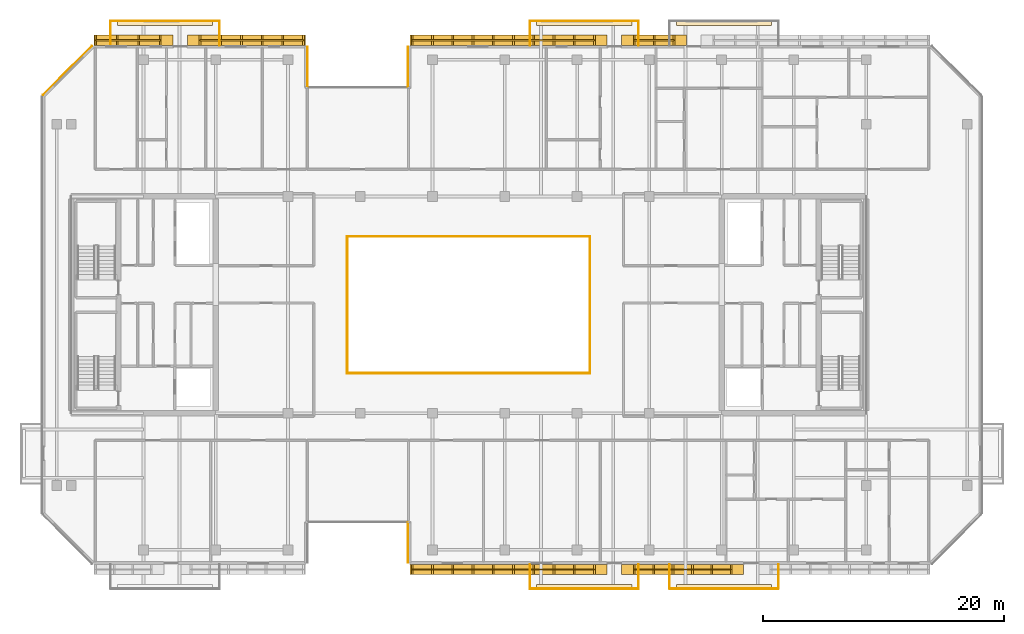
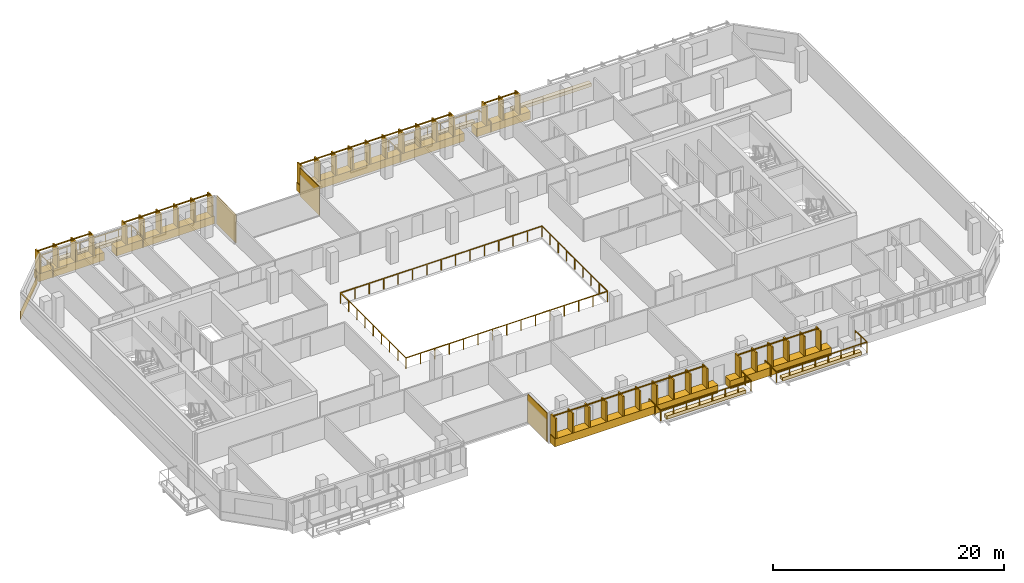
# One storey, part 19 of 22: 15 coverings, 12 railings.
"""IFC4 building model written with IfcOpenShell, lengths in metres."""

from ifc_helpers import new_model, si_unit, direction, frame, origin, origin_2d, place, context, subcontext, project, spatial, polyline, rectangle, outline, extrude, material, layer, layer_set, type_object, element, save


model = new_model("IFC4")

# Units and contexts
model_context = context("Model", 3, precision=1e-05, world=origin(), true_north=direction((0.0, 1.0)))
body_context = subcontext(model_context, "Body", "Model", "MODEL_VIEW")
ifc_project = project(units=[si_unit("LENGTHUNIT", "METRE"), si_unit("AREAUNIT", "SQUARE_METRE"), si_unit("VOLUMEUNIT", "CUBIC_METRE"), si_unit("PLANEANGLEUNIT", "RADIAN"), si_unit("MASSUNIT", "GRAM", prefix="KILO")], contexts=[model_context])

# Site, building, storey
site_placement = place(None, origin())
site = spatial("IfcSite", under=ifc_project, at=site_placement, CompositionType="ELEMENT")
building_placement = place(site_placement, origin())
building = spatial("IfcBuilding", under=site, at=building_placement, Name="Tanjung Sevakor Pilgrim Tower", CompositionType="ELEMENT")
storey_placement = place(building_placement, frame((0.0, 0.0, 195.030029296875)))
storey = spatial("IfcBuildingStorey", under=building, at=storey_placement, Name="L54", CompositionType="ELEMENT", Elevation=195.030029296875)

# Coverings
ifc_material_1 = material(Name="Reconstructed Limestone Cladding", Category="masonry")
ifc_layer_1 = layer(ifc_material_1, 0.044921875)
ifc_layer_set_1 = layer_set([ifc_layer_1], Name="COV-CLAD-LIMESTONE")
covering_type_1 = type_object("IfcCoveringType", Name="COV-CLAD-LIMESTONE", PredefinedType="CLADDING", material=ifc_layer_set_1)
covering_1_placement = place(storey_placement, frame((51.9775390625, 13.860107421875, 0.02001953125), z_axis=(0.0, 0.0, 1.0), x_axis=(0.0, -1.0, 0.0)))
element("IfcCovering", 1, at=covering_1_placement, inside=storey, type_object=covering_type_1, Name="L54 Warm Limestone Wall Cladding EW-L54-MAIN-4", PredefinedType="CLADDING", context=body_context, shape_type="SweptSolid", body=[
    extrude(rectangle(XDim=3.360107421875, YDim=0.044921875, at=origin_2d()), origin(), (0.0, 0.0, 1.0), 3.0400390625),
])
covering_2_placement = place(storey_placement, frame((60.320068359375, 11.6201171875, 0.009765625), z_axis=(0.0, 0.0, 1.0), x_axis=(1.0, 0.0, 0.0)))
element("IfcCovering", 2, at=covering_2_placement, inside=storey, type_object=covering_type_1, Name="L54 Warm Limestone Sill Spandrel EW-L54-MAIN-5-1", PredefinedType="CLADDING", context=body_context, shape_type="SweptSolid", body=[
    extrude(rectangle(XDim=16.340087890625, YDim=0.860107421875, at=origin_2d()), origin(), (0.0, 0.0, 1.0), 0.840087890625),
])
covering_3_placement = place(storey_placement, frame((74.77490234375, 11.6201171875, 0.009765625), z_axis=(0.0, 0.0, 1.0), x_axis=(1.0, 0.0, 0.0)))
element("IfcCovering", 3, at=covering_3_placement, inside=storey, type_object=covering_type_1, Name="L54 Warm Limestone Sill Spandrel EW-L54-MAIN-5-2", PredefinedType="CLADDING", context=body_context, shape_type="SweptSolid", body=[
    extrude(rectangle(XDim=10.1298828125, YDim=0.860107421875, at=origin_2d()), origin(), (0.0, 0.0, 1.0), 0.840087890625),
])
covering_4_placement = place(storey_placement, frame((72.39990234375, 55.580078125, 0.009765625), z_axis=(0.0, 0.0, 1.0), x_axis=(-1.0, 0.0, 0.0)))
element("IfcCovering", 4, at=covering_4_placement, inside=storey, type_object=covering_type_1, Name="L54 Warm Limestone Sill Spandrel EW-L54-MAIN-9-2", PredefinedType="CLADDING", context=body_context, shape_type="SweptSolid", body=[
    extrude(rectangle(XDim=5.3798828125, YDim=0.860107421875, at=origin_2d()), origin(), (0.0, 0.0, 1.0), 0.840087890625),
])
covering_5_placement = place(storey_placement, frame((60.320068359375, 55.580078125, 0.009765625), z_axis=(0.0, 0.0, 1.0), x_axis=(-1.0, 0.0, 0.0)))
element("IfcCovering", 5, at=covering_5_placement, inside=storey, type_object=covering_type_1, Name="L54 Warm Limestone Sill Spandrel EW-L54-MAIN-9-3", PredefinedType="CLADDING", context=body_context, shape_type="SweptSolid", body=[
    extrude(rectangle(XDim=16.340087890625, YDim=0.860107421875, at=origin_2d()), origin(), (0.0, 0.0, 1.0), 0.840087890625),
])
for number, where, z_axis, x_axis, name in (
    (6, (51.9775390625, 53.340087890625, 0.02001953125), (0.0, 0.0, 1.0), (0.0, -1.0, 0.0), "L54 Warm Limestone Wall Cladding EW-L54-MAIN-10"),
    (7, (43.62255859375, 53.340087890625, 0.02001953125), (0.0, 0.0, 1.0), (0.0, 1.0, 0.0), "L54 Warm Limestone Wall Cladding EW-L54-MAIN-12"),
):
    element("IfcCovering", number, at=place(storey_placement, frame(where, z_axis=z_axis, x_axis=x_axis)), inside=storey, type_object=covering_type_1, Name=name, PredefinedType="CLADDING", context=body_context, shape_type="SweptSolid", body=[
        extrude(rectangle(XDim=3.360107421875, YDim=0.044921875, at=origin_2d()), origin(), (0.0, 0.0, 1.0), 3.0400390625),
    ])
covering_6_placement = place(storey_placement, frame((38.554931640625, 55.580078125, 0.009765625), z_axis=(0.0, 0.0, 1.0), x_axis=(-1.0, 0.0, 0.0)))
element("IfcCovering", 8, at=covering_6_placement, inside=storey, type_object=covering_type_1, Name="L54 Warm Limestone Sill Spandrel EW-L54-MAIN-13-1", PredefinedType="CLADDING", context=body_context, shape_type="SweptSolid", body=[
    extrude(rectangle(XDim=9.7900390625, YDim=0.860107421875, at=origin_2d()), origin(), (0.0, 0.0, 1.0), 0.840087890625),
])
covering_7_placement = place(storey_placement, frame((29.162841796875, 55.580078125, 0.009765625), z_axis=(0.0, 0.0, 1.0), x_axis=(-1.0, 0.0, 0.0)))
element("IfcCovering", 9, at=covering_7_placement, inside=storey, type_object=covering_type_1, Name="L54 Warm Limestone Sill Spandrel EW-L54-MAIN-13-2", PredefinedType="CLADDING", context=body_context, shape_type="SweptSolid", body=[
    extrude(rectangle(XDim=6.554443359375, YDim=0.860107421875, at=origin_2d()), origin(), (0.0, 0.0, 1.0), 0.840087890625),
])
covering_8_placement = place(storey_placement, frame((23.68408203125, 53.06591796875, 0.009765625), z_axis=(0.0, 0.0, 1.0), x_axis=(-0.707106781187, -0.707106781187, 0.0)))
element("IfcCovering", 10, at=covering_8_placement, inside=storey, type_object=covering_type_1, Name="L54 Warm Limestone Sill Spandrel EW-CHM-L54-MAIN-13-1", PredefinedType="CLADDING", context=body_context, shape_type="SweptSolid", body=[
    extrude(rectangle(XDim=5.7685546875, YDim=0.044921875, at=origin_2d()), origin(), (0.0, 0.0, 1.0), 0.840087890625),
])
ifc_material_2 = material(Name="Vegetated Modular Planter Assembly", Category="organic")
ifc_layer_2 = layer(ifc_material_2, 0.35009765625)
ifc_layer_set_2 = layer_set([ifc_layer_2], Name="COV-GRN-TROUGH")
covering_type_2 = type_object("IfcCoveringType", Name="COV-GRN-TROUGH", PredefinedType="CLADDING", material=ifc_layer_set_2)
covering_9_placement = place(storey_placement, origin())
element("IfcCovering", 11, at=covering_9_placement, inside=storey, type_object=covering_type_2, Name="L54 Planted Landscape Hedge Trough BGRN-L54-MAIN-N1", PredefinedType="CLADDING", context=body_context, shape_type="SweptSolid", body=[
    extrude(outline(polyline([(27.85009765625, 56.81005859375), (35.75, 56.81005859375), (35.75, 57.25), (27.85009765625, 57.25), (27.85009765625, 56.81005859375)])), origin(), (0.0, 0.0, 1.0), 0.349853515625),
])
covering_10_placement = place(storey_placement, origin())
element("IfcCovering", 12, at=covering_10_placement, inside=storey, type_object=covering_type_2, Name="L54 Planted Landscape Hedge Trough BGRN-L54-MAIN-S2", PredefinedType="CLADDING", context=body_context, shape_type="SweptSolid", body=[
    extrude(outline(polyline([(62.64990234375, 9.949951171875), (70.550048828125, 9.949951171875), (70.550048828125, 10.389892578125), (62.64990234375, 10.389892578125), (62.64990234375, 9.949951171875)])), origin(), (0.0, 0.0, 1.0), 0.349853515625),
])
covering_11_placement = place(storey_placement, origin())
element("IfcCovering", 13, at=covering_11_placement, inside=storey, type_object=covering_type_2, Name="L54 Planted Landscape Hedge Trough BGRN-L54-MAIN-N2", PredefinedType="CLADDING", context=body_context, shape_type="SweptSolid", body=[
    extrude(outline(polyline([(62.64990234375, 56.81005859375), (70.550048828125, 56.81005859375), (70.550048828125, 57.25), (62.64990234375, 57.25), (62.64990234375, 56.81005859375)])), origin(), (0.0, 0.0, 1.0), 0.349853515625),
])
covering_12_placement = place(storey_placement, origin())
element("IfcCovering", 14, at=covering_12_placement, inside=storey, type_object=covering_type_2, Name="L54 Planted Landscape Hedge Trough BGRN-L54-MAIN-S3", PredefinedType="CLADDING", context=body_context, shape_type="SweptSolid", body=[
    extrude(outline(polyline([(74.25, 9.949951171875), (82.14990234375, 9.949951171875), (82.14990234375, 10.389892578125), (74.25, 10.389892578125), (74.25, 9.949951171875)])), origin(), (0.0, 0.0, 1.0), 0.349853515625),
])
covering_13_placement = place(storey_placement, origin())
element("IfcCovering", 15, at=covering_13_placement, inside=storey, type_object=covering_type_2, Name="L54 Planted Landscape Hedge Trough BGRN-L54-MAIN-N3", PredefinedType="CLADDING", context=body_context, shape_type="SweptSolid", body=[
    extrude(outline(polyline([(74.25, 56.81005859375), (82.14990234375, 56.81005859375), (82.14990234375, 57.25), (74.25, 57.25), (74.25, 56.81005859375)])), origin(), (0.0, 0.0, 1.0), 0.349853515625),
])

# Railings
ifc_material_3 = material(Name="Laminated Glass and Aluminium", Category="aluminium")
railing_type_1 = type_object("IfcRailingType", Name="RL-BAL-BALUST", PredefinedType="BALUSTRADE", material=ifc_material_3)
railing_1_placement = place(storey_placement, frame((46.919921875, 27.919921875, 0.0)))
element("IfcRailing", 16, at=railing_1_placement, inside=storey, type_object=railing_type_1, Name="L54 Void Opening Balustrade 1A", PredefinedType="BALUSTRADE", context=body_context, shape_type="SweptSolid", body=[
    extrude(rectangle(XDim=0.0479, YDim=0.0479), frame((0.0, 0.0, 1.1259765625), z_axis=(1.0, 0.0, 0.0), x_axis=(0.0, 1.0, 0.0)), (0.0, 0.0, 1.0), 20.16015625),
    extrude(rectangle(XDim=0.0479, YDim=0.0479), frame((20.16015625, 0.0, 1.1259765625), z_axis=(0.0, 1.0, 0.0), x_axis=(-1.0, 0.0, 0.0)), (0.0, 0.0, 1.0), 11.360107421875),
    extrude(rectangle(XDim=0.042, YDim=0.042), origin(), (0.0, 0.0, 1.0), 1.101806640625),
    extrude(rectangle(XDim=0.042, YDim=0.042), frame((1.43994140625, 0.0, 0.0)), (0.0, 0.0, 1.0), 1.101806640625),
    extrude(rectangle(XDim=0.042, YDim=0.042), frame((2.880126953125, 0.0, 0.0)), (0.0, 0.0, 1.0), 1.101806640625),
    extrude(rectangle(XDim=0.042, YDim=0.042), frame((4.320068359375, 0.0, 0.0)), (0.0, 0.0, 1.0), 1.101806640625),
    extrude(rectangle(XDim=0.042, YDim=0.042), frame((5.760009765625, 0.0, 0.0)), (0.0, 0.0, 1.0), 1.101806640625),
    extrude(rectangle(XDim=0.042, YDim=0.042), frame((7.199951171875, 0.0, 0.0)), (0.0, 0.0, 1.0), 1.101806640625),
    extrude(rectangle(XDim=0.042, YDim=0.042), frame((8.64013671875, 0.0, 0.0)), (0.0, 0.0, 1.0), 1.101806640625),
    extrude(rectangle(XDim=0.042, YDim=0.042), frame((10.080078125, 0.0, 0.0)), (0.0, 0.0, 1.0), 1.101806640625),
    extrude(rectangle(XDim=0.042, YDim=0.042), frame((11.52001953125, 0.0, 0.0)), (0.0, 0.0, 1.0), 1.101806640625),
    extrude(rectangle(XDim=0.042, YDim=0.042), frame((12.960205078125, 0.0, 0.0)), (0.0, 0.0, 1.0), 1.101806640625),
    extrude(rectangle(XDim=0.042, YDim=0.042), frame((14.400146484375, 0.0, 0.0)), (0.0, 0.0, 1.0), 1.101806640625),
    extrude(rectangle(XDim=0.042, YDim=0.042), frame((15.840087890625, 0.0, 0.0)), (0.0, 0.0, 1.0), 1.101806640625),
    extrude(rectangle(XDim=0.042, YDim=0.042), frame((17.280029296875, 0.0, 0.0)), (0.0, 0.0, 1.0), 1.101806640625),
    extrude(rectangle(XDim=0.042, YDim=0.042), frame((18.72021484375, 0.0, 0.0)), (0.0, 0.0, 1.0), 1.101806640625),
    extrude(rectangle(XDim=0.042, YDim=0.042), frame((20.16015625, 0.0, 0.0)), (0.0, 0.0, 1.0), 1.101806640625),
    extrude(rectangle(XDim=0.042, YDim=0.042), frame((20.16015625, 1.419921875, 0.0)), (0.0, 0.0, 1.0), 1.101806640625),
    extrude(rectangle(XDim=0.042, YDim=0.042), frame((20.16015625, 2.840087890625, 0.0)), (0.0, 0.0, 1.0), 1.101806640625),
    extrude(rectangle(XDim=0.042, YDim=0.042), frame((20.16015625, 4.260009765625, 0.0)), (0.0, 0.0, 1.0), 1.101806640625),
    extrude(rectangle(XDim=0.042, YDim=0.042), frame((20.16015625, 5.68017578125, 0.0)), (0.0, 0.0, 1.0), 1.101806640625),
    extrude(rectangle(XDim=0.042, YDim=0.042), frame((20.16015625, 7.10009765625, 0.0)), (0.0, 0.0, 1.0), 1.101806640625),
    extrude(rectangle(XDim=0.042, YDim=0.042), frame((20.16015625, 8.52001953125, 0.0)), (0.0, 0.0, 1.0), 1.101806640625),
    extrude(rectangle(XDim=0.042, YDim=0.042), frame((20.16015625, 9.940185546875, 0.0)), (0.0, 0.0, 1.0), 1.101806640625),
    extrude(rectangle(XDim=0.042, YDim=0.042), frame((20.16015625, 11.360107421875, 0.0)), (0.0, 0.0, 1.0), 1.101806640625),
])
railing_2_placement = place(storey_placement, frame((67.080078125, 39.280029296875, 0.0)))
element("IfcRailing", 17, at=railing_2_placement, inside=storey, type_object=railing_type_1, Name="L54 Void Opening Balustrade 1B", PredefinedType="BALUSTRADE", context=body_context, shape_type="SweptSolid", body=[
    extrude(rectangle(XDim=0.0479, YDim=0.0479), frame((0.0, 0.0, 1.1259765625), z_axis=(-1.0, 0.0, 0.0), x_axis=(0.0, -1.0, 0.0)), (0.0, 0.0, 1.0), 20.16015625),
    extrude(rectangle(XDim=0.0479, YDim=0.0479), frame((-20.16015625, 0.0, 1.1259765625), z_axis=(0.0, -1.0, 0.0), x_axis=(1.0, 0.0, 0.0)), (0.0, 0.0, 1.0), 11.360107421875),
    extrude(rectangle(XDim=0.042, YDim=0.042), origin(), (0.0, 0.0, 1.0), 1.101806640625),
    extrude(rectangle(XDim=0.042, YDim=0.042), frame((-1.43994140625, 0.0, 0.0)), (0.0, 0.0, 1.0), 1.101806640625),
    extrude(rectangle(XDim=0.042, YDim=0.042), frame((-2.880126953125, 0.0, 0.0)), (0.0, 0.0, 1.0), 1.101806640625),
    extrude(rectangle(XDim=0.042, YDim=0.042), frame((-4.320068359375, 0.0, 0.0)), (0.0, 0.0, 1.0), 1.101806640625),
    extrude(rectangle(XDim=0.042, YDim=0.042), frame((-5.760009765625, 0.0, 0.0)), (0.0, 0.0, 1.0), 1.101806640625),
    extrude(rectangle(XDim=0.042, YDim=0.042), frame((-7.199951171875, 0.0, 0.0)), (0.0, 0.0, 1.0), 1.101806640625),
    extrude(rectangle(XDim=0.042, YDim=0.042), frame((-8.64013671875, 0.0, 0.0)), (0.0, 0.0, 1.0), 1.101806640625),
    extrude(rectangle(XDim=0.042, YDim=0.042), frame((-10.080078125, 0.0, 0.0)), (0.0, 0.0, 1.0), 1.101806640625),
    extrude(rectangle(XDim=0.042, YDim=0.042), frame((-11.52001953125, 0.0, 0.0)), (0.0, 0.0, 1.0), 1.101806640625),
    extrude(rectangle(XDim=0.042, YDim=0.042), frame((-12.960205078125, 0.0, 0.0)), (0.0, 0.0, 1.0), 1.101806640625),
    extrude(rectangle(XDim=0.042, YDim=0.042), frame((-14.400146484375, 0.0, 0.0)), (0.0, 0.0, 1.0), 1.101806640625),
    extrude(rectangle(XDim=0.042, YDim=0.042), frame((-15.840087890625, 0.0, 0.0)), (0.0, 0.0, 1.0), 1.101806640625),
    extrude(rectangle(XDim=0.042, YDim=0.042), frame((-17.280029296875, 0.0, 0.0)), (0.0, 0.0, 1.0), 1.101806640625),
    extrude(rectangle(XDim=0.042, YDim=0.042), frame((-18.72021484375, 0.0, 0.0)), (0.0, 0.0, 1.0), 1.101806640625),
    extrude(rectangle(XDim=0.042, YDim=0.042), frame((-20.16015625, 0.0, 0.0)), (0.0, 0.0, 1.0), 1.101806640625),
    extrude(rectangle(XDim=0.042, YDim=0.042), frame((-20.16015625, -1.419921875, 0.0)), (0.0, 0.0, 1.0), 1.101806640625),
    extrude(rectangle(XDim=0.042, YDim=0.042), frame((-20.16015625, -2.840087890625, 0.0)), (0.0, 0.0, 1.0), 1.101806640625),
    extrude(rectangle(XDim=0.042, YDim=0.042), frame((-20.16015625, -4.260009765625, 0.0)), (0.0, 0.0, 1.0), 1.101806640625),
    extrude(rectangle(XDim=0.042, YDim=0.042), frame((-20.16015625, -5.68017578125, 0.0)), (0.0, 0.0, 1.0), 1.101806640625),
    extrude(rectangle(XDim=0.042, YDim=0.042), frame((-20.16015625, -7.10009765625, 0.0)), (0.0, 0.0, 1.0), 1.101806640625),
    extrude(rectangle(XDim=0.042, YDim=0.042), frame((-20.16015625, -8.52001953125, 0.0)), (0.0, 0.0, 1.0), 1.101806640625),
    extrude(rectangle(XDim=0.042, YDim=0.042), frame((-20.16015625, -9.940185546875, 0.0)), (0.0, 0.0, 1.0), 1.101806640625),
    extrude(rectangle(XDim=0.042, YDim=0.042), frame((-20.16015625, -11.360107421875, 0.0)), (0.0, 0.0, 1.0), 1.101806640625),
])
railing_3_placement = place(storey_placement, frame((27.280029296875, 55.14990234375, 0.0)))
element("IfcRailing", 18, at=railing_3_placement, inside=storey, type_object=railing_type_1, Name="L54 Loggia Balustrade MAIN-N1", PredefinedType="BALUSTRADE", context=body_context, shape_type="SweptSolid", body=[
    extrude(rectangle(XDim=0.0479, YDim=0.0479), frame((0.0, 0.0, 1.1259765625), z_axis=(0.0, 1.0, 0.0), x_axis=(-1.0, 0.0, 0.0)), (0.0, 0.0, 1.0), 2.02001953125),
    extrude(rectangle(XDim=0.0479, YDim=0.0479), frame((0.0, 2.02001953125, 1.1259765625), z_axis=(1.0, 0.0, 0.0), x_axis=(0.0, 1.0, 0.0)), (0.0, 0.0, 1.0), 9.0400390625),
    extrude(rectangle(XDim=0.0479, YDim=0.0479), frame((9.0400390625, 2.02001953125, 1.1259765625), z_axis=(0.0, -1.0, 0.0), x_axis=(1.0, 0.0, 0.0)), (0.0, 0.0, 1.0), 2.02001953125),
    extrude(rectangle(XDim=0.042, YDim=0.042), origin(), (0.0, 0.0, 1.0), 1.101806640625),
    extrude(rectangle(XDim=0.042, YDim=0.042), frame((0.0, 1.010009765625, 0.0)), (0.0, 0.0, 1.0), 1.101806640625),
    extrude(rectangle(XDim=0.042, YDim=0.042), frame((0.0, 2.02001953125, 0.0)), (0.0, 0.0, 1.0), 1.101806640625),
    extrude(rectangle(XDim=0.042, YDim=0.042), frame((1.29150390625, 2.02001953125, 0.0)), (0.0, 0.0, 1.0), 1.101806640625),
    extrude(rectangle(XDim=0.042, YDim=0.042), frame((2.582763671875, 2.02001953125, 0.0)), (0.0, 0.0, 1.0), 1.101806640625),
    extrude(rectangle(XDim=0.042, YDim=0.042), frame((3.874267578125, 2.02001953125, 0.0)), (0.0, 0.0, 1.0), 1.101806640625),
    extrude(rectangle(XDim=0.042, YDim=0.042), frame((5.165771484375, 2.02001953125, 0.0)), (0.0, 0.0, 1.0), 1.101806640625),
    extrude(rectangle(XDim=0.042, YDim=0.042), frame((6.457275390625, 2.02001953125, 0.0)), (0.0, 0.0, 1.0), 1.101806640625),
    extrude(rectangle(XDim=0.042, YDim=0.042), frame((7.74853515625, 2.02001953125, 0.0)), (0.0, 0.0, 1.0), 1.101806640625),
    extrude(rectangle(XDim=0.042, YDim=0.042), frame((9.0400390625, 2.02001953125, 0.0)), (0.0, 0.0, 1.0), 1.101806640625),
    extrude(rectangle(XDim=0.042, YDim=0.042), frame((9.0400390625, 1.010009765625, 0.0)), (0.0, 0.0, 1.0), 1.101806640625),
    extrude(rectangle(XDim=0.042, YDim=0.042), frame((9.0400390625, 0.0, 0.0)), (0.0, 0.0, 1.0), 1.101806640625),
])
railing_4_placement = place(storey_placement, frame((62.080078125, 12.050048828125, 0.0)))
element("IfcRailing", 19, at=railing_4_placement, inside=storey, type_object=railing_type_1, Name="L54 Loggia Balustrade MAIN-S2", PredefinedType="BALUSTRADE", context=body_context, shape_type="SweptSolid", body=[
    extrude(rectangle(XDim=0.0479, YDim=0.0479), frame((0.0, 0.0, 1.1259765625), z_axis=(0.0, -1.0, 0.0), x_axis=(1.0, 0.0, 0.0)), (0.0, 0.0, 1.0), 2.02001953125),
    extrude(rectangle(XDim=0.0479, YDim=0.0479), frame((0.0, -2.02001953125, 1.1259765625), z_axis=(1.0, 0.0, 0.0), x_axis=(0.0, 1.0, 0.0)), (0.0, 0.0, 1.0), 9.0400390625),
    extrude(rectangle(XDim=0.0479, YDim=0.0479), frame((9.0400390625, -2.02001953125, 1.1259765625), z_axis=(0.0, 1.0, 0.0), x_axis=(-1.0, 0.0, 0.0)), (0.0, 0.0, 1.0), 2.02001953125),
    extrude(rectangle(XDim=0.042, YDim=0.042), origin(), (0.0, 0.0, 1.0), 1.101806640625),
    extrude(rectangle(XDim=0.042, YDim=0.042), frame((0.0, -1.010009765625, 0.0)), (0.0, 0.0, 1.0), 1.101806640625),
    extrude(rectangle(XDim=0.042, YDim=0.042), frame((0.0, -2.02001953125, 0.0)), (0.0, 0.0, 1.0), 1.101806640625),
    extrude(rectangle(XDim=0.042, YDim=0.042), frame((1.29150390625, -2.02001953125, 0.0)), (0.0, 0.0, 1.0), 1.101806640625),
    extrude(rectangle(XDim=0.042, YDim=0.042), frame((2.582763671875, -2.02001953125, 0.0)), (0.0, 0.0, 1.0), 1.101806640625),
    extrude(rectangle(XDim=0.042, YDim=0.042), frame((3.874267578125, -2.02001953125, 0.0)), (0.0, 0.0, 1.0), 1.101806640625),
    extrude(rectangle(XDim=0.042, YDim=0.042), frame((5.165771484375, -2.02001953125, 0.0)), (0.0, 0.0, 1.0), 1.101806640625),
    extrude(rectangle(XDim=0.042, YDim=0.042), frame((6.457275390625, -2.02001953125, 0.0)), (0.0, 0.0, 1.0), 1.101806640625),
    extrude(rectangle(XDim=0.042, YDim=0.042), frame((7.74853515625, -2.02001953125, 0.0)), (0.0, 0.0, 1.0), 1.101806640625),
    extrude(rectangle(XDim=0.042, YDim=0.042), frame((9.0400390625, -2.02001953125, 0.0)), (0.0, 0.0, 1.0), 1.101806640625),
    extrude(rectangle(XDim=0.042, YDim=0.042), frame((9.0400390625, -1.010009765625, 0.0)), (0.0, 0.0, 1.0), 1.101806640625),
    extrude(rectangle(XDim=0.042, YDim=0.042), frame((9.0400390625, 0.0, 0.0)), (0.0, 0.0, 1.0), 1.101806640625),
])
railing_5_placement = place(storey_placement, frame((62.080078125, 55.14990234375, 0.0)))
element("IfcRailing", 20, at=railing_5_placement, inside=storey, type_object=railing_type_1, Name="L54 Loggia Balustrade MAIN-N2", PredefinedType="BALUSTRADE", context=body_context, shape_type="SweptSolid", body=[
    extrude(rectangle(XDim=0.0479, YDim=0.0479), frame((0.0, 0.0, 1.1259765625), z_axis=(0.0, 1.0, 0.0), x_axis=(-1.0, 0.0, 0.0)), (0.0, 0.0, 1.0), 2.02001953125),
    extrude(rectangle(XDim=0.0479, YDim=0.0479), frame((0.0, 2.02001953125, 1.1259765625), z_axis=(1.0, 0.0, 0.0), x_axis=(0.0, 1.0, 0.0)), (0.0, 0.0, 1.0), 9.0400390625),
    extrude(rectangle(XDim=0.0479, YDim=0.0479), frame((9.0400390625, 2.02001953125, 1.1259765625), z_axis=(0.0, -1.0, 0.0), x_axis=(1.0, 0.0, 0.0)), (0.0, 0.0, 1.0), 2.02001953125),
    extrude(rectangle(XDim=0.042, YDim=0.042), origin(), (0.0, 0.0, 1.0), 1.101806640625),
    extrude(rectangle(XDim=0.042, YDim=0.042), frame((0.0, 1.010009765625, 0.0)), (0.0, 0.0, 1.0), 1.101806640625),
    extrude(rectangle(XDim=0.042, YDim=0.042), frame((0.0, 2.02001953125, 0.0)), (0.0, 0.0, 1.0), 1.101806640625),
    extrude(rectangle(XDim=0.042, YDim=0.042), frame((1.29150390625, 2.02001953125, 0.0)), (0.0, 0.0, 1.0), 1.101806640625),
    extrude(rectangle(XDim=0.042, YDim=0.042), frame((2.582763671875, 2.02001953125, 0.0)), (0.0, 0.0, 1.0), 1.101806640625),
    extrude(rectangle(XDim=0.042, YDim=0.042), frame((3.874267578125, 2.02001953125, 0.0)), (0.0, 0.0, 1.0), 1.101806640625),
    extrude(rectangle(XDim=0.042, YDim=0.042), frame((5.165771484375, 2.02001953125, 0.0)), (0.0, 0.0, 1.0), 1.101806640625),
    extrude(rectangle(XDim=0.042, YDim=0.042), frame((6.457275390625, 2.02001953125, 0.0)), (0.0, 0.0, 1.0), 1.101806640625),
    extrude(rectangle(XDim=0.042, YDim=0.042), frame((7.74853515625, 2.02001953125, 0.0)), (0.0, 0.0, 1.0), 1.101806640625),
    extrude(rectangle(XDim=0.042, YDim=0.042), frame((9.0400390625, 2.02001953125, 0.0)), (0.0, 0.0, 1.0), 1.101806640625),
    extrude(rectangle(XDim=0.042, YDim=0.042), frame((9.0400390625, 1.010009765625, 0.0)), (0.0, 0.0, 1.0), 1.101806640625),
    extrude(rectangle(XDim=0.042, YDim=0.042), frame((9.0400390625, 0.0, 0.0)), (0.0, 0.0, 1.0), 1.101806640625),
])
railing_6_placement = place(storey_placement, frame((73.679931640625, 12.050048828125, 0.0)))
element("IfcRailing", 21, at=railing_6_placement, inside=storey, type_object=railing_type_1, Name="L54 Loggia Balustrade MAIN-S3", PredefinedType="BALUSTRADE", context=body_context, shape_type="SweptSolid", body=[
    extrude(rectangle(XDim=0.0479, YDim=0.0479), frame((0.0, 0.0, 1.1259765625), z_axis=(0.0, -1.0, 0.0), x_axis=(1.0, 0.0, 0.0)), (0.0, 0.0, 1.0), 2.02001953125),
    extrude(rectangle(XDim=0.0479, YDim=0.0479), frame((0.0, -2.02001953125, 1.1259765625), z_axis=(1.0, 0.0, 0.0), x_axis=(0.0, 1.0, 0.0)), (0.0, 0.0, 1.0), 9.0400390625),
    extrude(rectangle(XDim=0.0479, YDim=0.0479), frame((9.0400390625, -2.02001953125, 1.1259765625), z_axis=(0.0, 1.0, 0.0), x_axis=(-1.0, 0.0, 0.0)), (0.0, 0.0, 1.0), 2.02001953125),
    extrude(rectangle(XDim=0.042, YDim=0.042), origin(), (0.0, 0.0, 1.0), 1.101806640625),
    extrude(rectangle(XDim=0.042, YDim=0.042), frame((0.0, -1.010009765625, 0.0)), (0.0, 0.0, 1.0), 1.101806640625),
    extrude(rectangle(XDim=0.042, YDim=0.042), frame((0.0, -2.02001953125, 0.0)), (0.0, 0.0, 1.0), 1.101806640625),
    extrude(rectangle(XDim=0.042, YDim=0.042), frame((1.29150390625, -2.02001953125, 0.0)), (0.0, 0.0, 1.0), 1.101806640625),
    extrude(rectangle(XDim=0.042, YDim=0.042), frame((2.582763671875, -2.02001953125, 0.0)), (0.0, 0.0, 1.0), 1.101806640625),
    extrude(rectangle(XDim=0.042, YDim=0.042), frame((3.874267578125, -2.02001953125, 0.0)), (0.0, 0.0, 1.0), 1.101806640625),
    extrude(rectangle(XDim=0.042, YDim=0.042), frame((5.165771484375, -2.02001953125, 0.0)), (0.0, 0.0, 1.0), 1.101806640625),
    extrude(rectangle(XDim=0.042, YDim=0.042), frame((6.457275390625, -2.02001953125, 0.0)), (0.0, 0.0, 1.0), 1.101806640625),
    extrude(rectangle(XDim=0.042, YDim=0.042), frame((7.74853515625, -2.02001953125, 0.0)), (0.0, 0.0, 1.0), 1.101806640625),
    extrude(rectangle(XDim=0.042, YDim=0.042), frame((9.0400390625, -2.02001953125, 0.0)), (0.0, 0.0, 1.0), 1.101806640625),
    extrude(rectangle(XDim=0.042, YDim=0.042), frame((9.0400390625, -1.010009765625, 0.0)), (0.0, 0.0, 1.0), 1.101806640625),
    extrude(rectangle(XDim=0.042, YDim=0.042), frame((9.0400390625, 0.0, 0.0)), (0.0, 0.0, 1.0), 1.101806640625),
])
ifc_material_4 = material(Name="Anodised Bronze Aluminium 6063-T6", Category="aluminium")
railing_type_2 = type_object("IfcRailingType", Name="RL-FIN-SCREEN", PredefinedType="BALUSTRADE", material=ifc_material_4)
railing_7_placement = place(storey_placement, frame((52.31005859375, 11.625, 0.840087890625)))
element("IfcRailing", 22, at=railing_7_placement, inside=storey, type_object=railing_type_2, Name="L54 Vertical Bronze-Gold Solar Fin Screen FNSCR-EW-L54-MAIN-5-1", PredefinedType="BALUSTRADE", context=body_context, shape_type="SweptSolid", body=[
    extrude(rectangle(XDim=0.105, YDim=0.105), frame((0.0, 0.0, 2.157470703125), z_axis=(1.0, 0.0, 0.0), x_axis=(0.0, 1.0, 0.0)), (0.0, 0.0, 1.0), 15.139892578125),
    extrude(rectangle(XDim=0.14, YDim=0.85), origin(), (0.0, 0.0, 1.0), 2.10498046875),
    extrude(rectangle(XDim=0.14, YDim=0.85), frame((1.68212890625, 0.0, 0.0)), (0.0, 0.0, 1.0), 2.10498046875),
    extrude(rectangle(XDim=0.14, YDim=0.85), frame((3.364501953125, 0.0, 0.0)), (0.0, 0.0, 1.0), 2.10498046875),
    extrude(rectangle(XDim=0.14, YDim=0.85), frame((5.046630859375, 0.0, 0.0)), (0.0, 0.0, 1.0), 2.10498046875),
    extrude(rectangle(XDim=0.14, YDim=0.85), frame((6.728759765625, 0.0, 0.0)), (0.0, 0.0, 1.0), 2.10498046875),
    extrude(rectangle(XDim=0.14, YDim=0.85), frame((8.4111328125, 0.0, 0.0)), (0.0, 0.0, 1.0), 2.10498046875),
    extrude(rectangle(XDim=0.14, YDim=0.85), frame((10.09326171875, 0.0, 0.0)), (0.0, 0.0, 1.0), 2.10498046875),
    extrude(rectangle(XDim=0.14, YDim=0.85), frame((11.775390625, 0.0, 0.0)), (0.0, 0.0, 1.0), 2.10498046875),
    extrude(rectangle(XDim=0.14, YDim=0.85), frame((13.457763671875, 0.0, 0.0)), (0.0, 0.0, 1.0), 2.10498046875),
    extrude(rectangle(XDim=0.14, YDim=0.85), frame((15.139892578125, 0.0, 0.0)), (0.0, 0.0, 1.0), 2.10498046875),
])
railing_8_placement = place(storey_placement, frame((70.75, 11.625, 0.840087890625)))
element("IfcRailing", 23, at=railing_8_placement, inside=storey, type_object=railing_type_2, Name="L54 Vertical Bronze-Gold Solar Fin Screen FNSCR-EW-L54-MAIN-5-2", PredefinedType="BALUSTRADE", context=body_context, shape_type="SweptSolid", body=[
    extrude(rectangle(XDim=0.105, YDim=0.105), frame((0.0, 0.0, 2.157470703125), z_axis=(1.0, 0.0, 0.0), x_axis=(0.0, 1.0, 0.0)), (0.0, 0.0, 1.0), 8.050048828125),
    extrude(rectangle(XDim=0.14, YDim=0.85), origin(), (0.0, 0.0, 1.0), 2.10498046875),
    extrude(rectangle(XDim=0.14, YDim=0.85), frame((1.610107421875, 0.0, 0.0)), (0.0, 0.0, 1.0), 2.10498046875),
    extrude(rectangle(XDim=0.14, YDim=0.85), frame((3.219970703125, 0.0, 0.0)), (0.0, 0.0, 1.0), 2.10498046875),
    extrude(rectangle(XDim=0.14, YDim=0.85), frame((4.830078125, 0.0, 0.0)), (0.0, 0.0, 1.0), 2.10498046875),
    extrude(rectangle(XDim=0.14, YDim=0.85), frame((6.43994140625, 0.0, 0.0)), (0.0, 0.0, 1.0), 2.10498046875),
    extrude(rectangle(XDim=0.14, YDim=0.85), frame((8.050048828125, 0.0, 0.0)), (0.0, 0.0, 1.0), 2.10498046875),
])
railing_9_placement = place(storey_placement, frame((74.050048828125, 55.574951171875, 0.840087890625)))
element("IfcRailing", 24, at=railing_9_placement, inside=storey, type_object=railing_type_2, Name="L54 Vertical Bronze-Gold Solar Fin Screen FNSCR-EW-L54-MAIN-9-2", PredefinedType="BALUSTRADE", context=body_context, shape_type="SweptSolid", body=[
    extrude(rectangle(XDim=0.105, YDim=0.105), frame((0.0, 0.0, 2.157470703125), z_axis=(-1.0, 0.0, 0.0), x_axis=(0.0, -1.0, 0.0)), (0.0, 0.0, 1.0), 3.300048828125),
    extrude(rectangle(XDim=0.14, YDim=0.85), origin(), (0.0, 0.0, 1.0), 2.10498046875),
    extrude(rectangle(XDim=0.14, YDim=0.85), frame((-1.64990234375, 0.0, 0.0)), (0.0, 0.0, 1.0), 2.10498046875),
    extrude(rectangle(XDim=0.14, YDim=0.85), frame((-3.300048828125, 0.0, 0.0)), (0.0, 0.0, 1.0), 2.10498046875),
])
railing_10_placement = place(storey_placement, frame((67.449951171875, 55.574951171875, 0.840087890625)))
element("IfcRailing", 25, at=railing_10_placement, inside=storey, type_object=railing_type_2, Name="L54 Vertical Bronze-Gold Solar Fin Screen FNSCR-EW-L54-MAIN-9-3", PredefinedType="BALUSTRADE", context=body_context, shape_type="SweptSolid", body=[
    extrude(rectangle(XDim=0.105, YDim=0.105), frame((0.0, 0.0, 2.157470703125), z_axis=(-1.0, 0.0, 0.0), x_axis=(0.0, -1.0, 0.0)), (0.0, 0.0, 1.0), 15.139892578125),
    extrude(rectangle(XDim=0.14, YDim=0.85), origin(), (0.0, 0.0, 1.0), 2.10498046875),
    extrude(rectangle(XDim=0.14, YDim=0.85), frame((-1.68212890625, 0.0, 0.0)), (0.0, 0.0, 1.0), 2.10498046875),
    extrude(rectangle(XDim=0.14, YDim=0.85), frame((-3.364501953125, 0.0, 0.0)), (0.0, 0.0, 1.0), 2.10498046875),
    extrude(rectangle(XDim=0.14, YDim=0.85), frame((-5.046630859375, 0.0, 0.0)), (0.0, 0.0, 1.0), 2.10498046875),
    extrude(rectangle(XDim=0.14, YDim=0.85), frame((-6.728759765625, 0.0, 0.0)), (0.0, 0.0, 1.0), 2.10498046875),
    extrude(rectangle(XDim=0.14, YDim=0.85), frame((-8.4111328125, 0.0, 0.0)), (0.0, 0.0, 1.0), 2.10498046875),
    extrude(rectangle(XDim=0.14, YDim=0.85), frame((-10.09326171875, 0.0, 0.0)), (0.0, 0.0, 1.0), 2.10498046875),
    extrude(rectangle(XDim=0.14, YDim=0.85), frame((-11.775390625, 0.0, 0.0)), (0.0, 0.0, 1.0), 2.10498046875),
    extrude(rectangle(XDim=0.14, YDim=0.85), frame((-13.457763671875, 0.0, 0.0)), (0.0, 0.0, 1.0), 2.10498046875),
    extrude(rectangle(XDim=0.14, YDim=0.85), frame((-15.139892578125, 0.0, 0.0)), (0.0, 0.0, 1.0), 2.10498046875),
])
railing_11_placement = place(storey_placement, frame((43.2900390625, 55.574951171875, 0.840087890625)))
element("IfcRailing", 26, at=railing_11_placement, inside=storey, type_object=railing_type_2, Name="L54 Vertical Bronze-Gold Solar Fin Screen FNSCR-EW-L54-MAIN-13-1", PredefinedType="BALUSTRADE", context=body_context, shape_type="SweptSolid", body=[
    extrude(rectangle(XDim=0.105, YDim=0.105), frame((0.0, 0.0, 2.157470703125), z_axis=(-1.0, 0.0, 0.0), x_axis=(0.0, -1.0, 0.0)), (0.0, 0.0, 1.0), 8.590087890625),
    extrude(rectangle(XDim=0.14, YDim=0.85), origin(), (0.0, 0.0, 1.0), 2.10498046875),
    extrude(rectangle(XDim=0.14, YDim=0.85), frame((-1.718017578125, 0.0, 0.0)), (0.0, 0.0, 1.0), 2.10498046875),
    extrude(rectangle(XDim=0.14, YDim=0.85), frame((-3.43603515625, 0.0, 0.0)), (0.0, 0.0, 1.0), 2.10498046875),
    extrude(rectangle(XDim=0.14, YDim=0.85), frame((-5.154052734375, 0.0, 0.0)), (0.0, 0.0, 1.0), 2.10498046875),
    extrude(rectangle(XDim=0.14, YDim=0.85), frame((-6.8720703125, 0.0, 0.0)), (0.0, 0.0, 1.0), 2.10498046875),
    extrude(rectangle(XDim=0.14, YDim=0.85), frame((-8.590087890625, 0.0, 0.0)), (0.0, 0.0, 1.0), 2.10498046875),
])
railing_12_placement = place(storey_placement, frame((31.39990234375, 55.574951171875, 0.840087890625)))
element("IfcRailing", 27, at=railing_12_placement, inside=storey, type_object=railing_type_2, Name="L54 Vertical Bronze-Gold Solar Fin Screen FNSCR-EW-L54-MAIN-13-2", PredefinedType="BALUSTRADE", context=body_context, shape_type="SweptSolid", body=[
    extrude(rectangle(XDim=0.105, YDim=0.105), frame((0.0, 0.0, 2.157470703125), z_axis=(-1.0, 0.0, 0.0), x_axis=(0.0, -1.0, 0.0)), (0.0, 0.0, 1.0), 5.354248046875),
    extrude(rectangle(XDim=0.14, YDim=0.85), origin(), (0.0, 0.0, 1.0), 2.10498046875),
    extrude(rectangle(XDim=0.14, YDim=0.85), frame((-1.78466796875, 0.0, 0.0)), (0.0, 0.0, 1.0), 2.10498046875),
    extrude(rectangle(XDim=0.14, YDim=0.85), frame((-3.569580078125, 0.0, 0.0)), (0.0, 0.0, 1.0), 2.10498046875),
    extrude(rectangle(XDim=0.14, YDim=0.85), frame((-5.354248046875, 0.0, 0.0)), (0.0, 0.0, 1.0), 2.10498046875),
])

save(model, "model.ifc")
